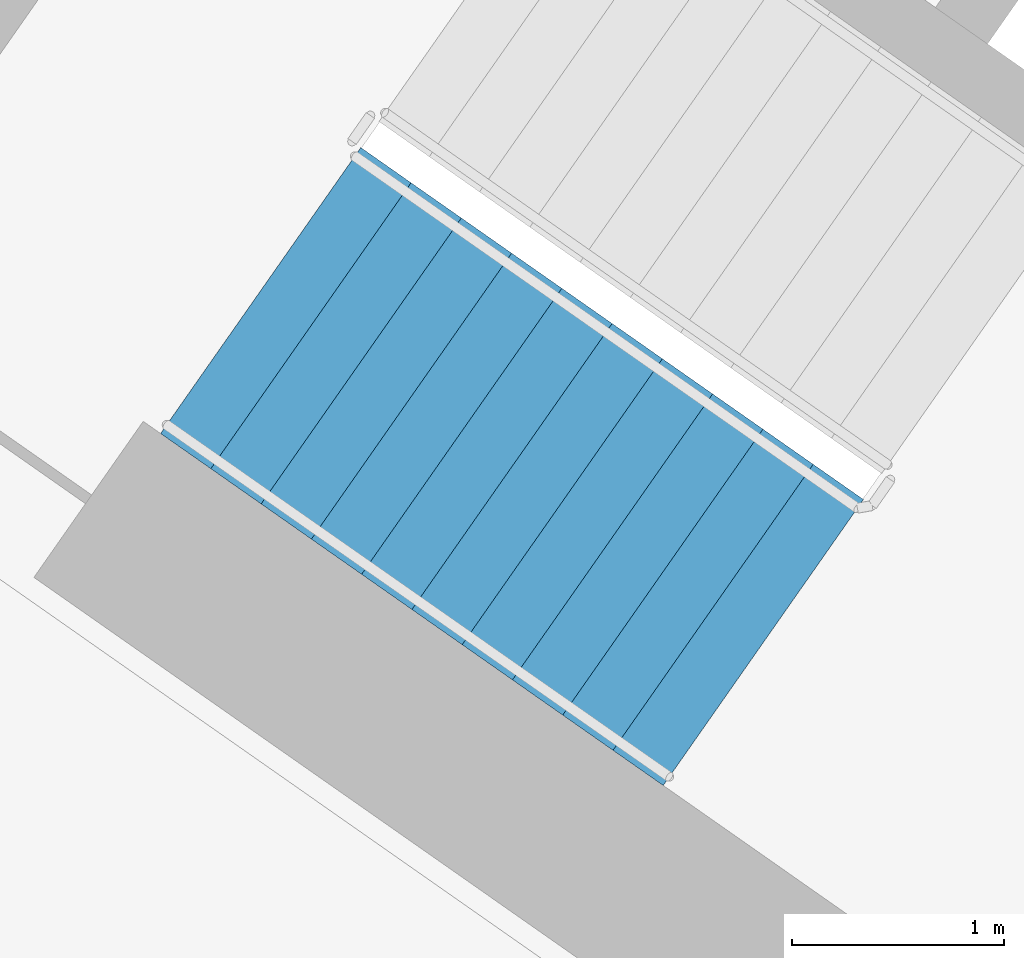
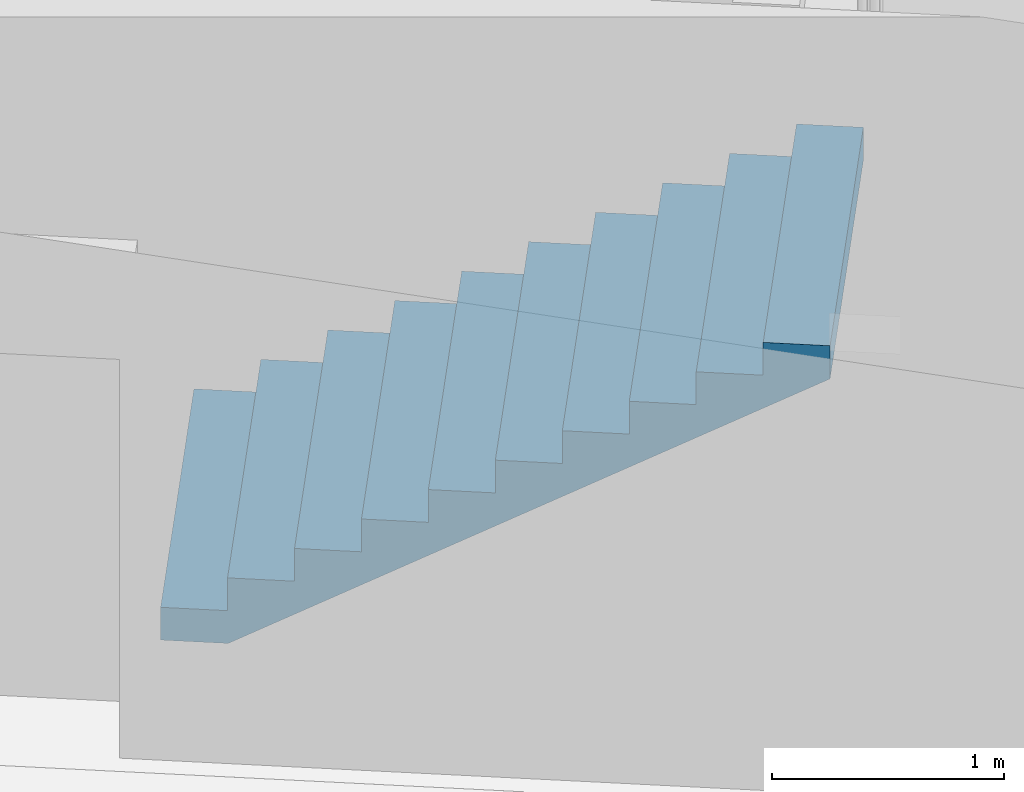
# One storey, part 12 of 30: 1 stair flight, 1 element without a shape of its own.
"""IFC4 building model written with IfcOpenShell, lengths in metres."""

from ifc_helpers import new_model, si_unit, direction, frame, origin, place, context, subcontext, project, spatial, faceted_brep, material, type_object, element, aggregate, save


model = new_model("IFC4")

# Units and contexts
model_context = context("Model", 3, precision=1e-05, world=origin(), true_north=direction((0.0, 1.0)))
body_context = subcontext(model_context, "Body", "Model", "MODEL_VIEW")
ifc_project = project(units=[si_unit("LENGTHUNIT", "METRE"), si_unit("AREAUNIT", "SQUARE_METRE"), si_unit("VOLUMEUNIT", "CUBIC_METRE"), si_unit("PLANEANGLEUNIT", "RADIAN"), si_unit("MASSUNIT", "GRAM", prefix="KILO")], contexts=[model_context])

# Site, building, storey
site_placement = place(None, origin())
site = spatial("IfcSite", under=ifc_project, at=site_placement, CompositionType="ELEMENT")
building_placement = place(site_placement, origin())
building = spatial("IfcBuilding", under=site, at=building_placement, Name="Qamariyya Broadcast Tower", CompositionType="ELEMENT")
storey_placement = place(building_placement, frame((0.0, 0.0, 67.10009765625)))
storey = spatial("IfcBuildingStorey", under=building, at=storey_placement, Name="L13", CompositionType="ELEMENT", Elevation=67.10009765625)

# Stair, stair flight
ifc_material = material(Name="Concrete C50/60", Category="concrete")
stair_type = type_object("IfcStairType", Name="Exit stair 22 risers of 173 mm", PredefinedType="HALF_TURN_STAIR", material=ifc_material)
stair_placement = place(storey_placement, origin())
stair = element("IfcStair", 1, at=stair_placement, inside=storey, type_object=stair_type, Name="L13 Stair W1", PredefinedType="HALF_TURN_STAIR")
stair_flight_type = type_object("IfcStairFlightType", Name="Exit stair flight 11 risers of 173 mm", PredefinedType="STRAIGHT", material=ifc_material)
stair_flight_placement = place(storey_placement, frame((-47.06884765625, -56.982666015625, 0.0), z_axis=(0.0, 0.0, 1.0), x_axis=(0.819152044289, -0.573576436351, 0.0)))
stair_flight = element("IfcStairFlight", 2, at=stair_flight_placement, type_object=stair_flight_type, Name="ST-W1 flight 1", NumberOfRisers=11, NumberOfTreads=10, PredefinedType="STRAIGHT", RiserHeight=0.172727273, TreadLength=0.29, context=body_context, shape_type="Brep", body=[
    faceted_brep([(0.0, 0.824951171875, 0.0), (0.0, 0.824951171875, 0.172607421875), (0.2900390625, 0.824951171875, 0.172607421875), (0.2900390625, 0.824951171875, 0.345458984375), (0.580078125, 0.824951171875, 0.345458984375), (0.580078125, 0.824951171875, 0.51806640625), (0.8701171875, 0.824951171875, 0.51806640625), (0.8701171875, 0.824951171875, 0.69091796875), (1.159912109375, 0.824951171875, 0.69091796875), (1.159912109375, 0.824951171875, 0.863525390625), (1.449951171875, 0.824951171875, 0.863525390625), (1.449951171875, 0.824951171875, 1.036376953125), (1.739990234375, 0.824951171875, 1.036376953125), (1.739990234375, 0.824951171875, 1.208984375), (2.030029296875, 0.824951171875, 1.208984375), (2.030029296875, 0.824951171875, 1.3818359375), (2.320068359375, 0.824951171875, 1.3818359375), (2.320068359375, 0.824951171875, 1.554443359375), (2.610107421875, 0.824951171875, 1.554443359375), (2.610107421875, 0.824951171875, 1.727294921875), (2.89990234375, 0.824951171875, 1.727294921875), (2.89990234375, 0.824951171875, 1.552734375), (0.29296875, 0.824951171875, 0.0), (0.29296875, -0.824951171875, 0.0), (2.89990234375, -0.824951171875, 1.552734375), (2.89990234375, -0.824951171875, 1.727294921875), (2.610107421875, -0.824951171875, 1.727294921875), (2.610107421875, -0.824951171875, 1.554443359375), (2.320068359375, -0.824951171875, 1.554443359375), (2.320068359375, -0.824951171875, 1.3818359375), (2.030029296875, -0.824951171875, 1.3818359375), (2.030029296875, -0.824951171875, 1.208984375), (1.739990234375, -0.824951171875, 1.208984375), (1.739990234375, -0.824951171875, 1.036376953125), (1.449951171875, -0.824951171875, 1.036376953125), (1.449951171875, -0.824951171875, 0.863525390625), (1.159912109375, -0.824951171875, 0.863525390625), (1.159912109375, -0.824951171875, 0.69091796875), (0.8701171875, -0.824951171875, 0.69091796875), (0.8701171875, -0.824951171875, 0.51806640625), (0.580078125, -0.824951171875, 0.51806640625), (0.580078125, -0.824951171875, 0.345458984375), (0.2900390625, -0.824951171875, 0.345458984375), (0.2900390625, -0.824951171875, 0.172607421875), (0.0, -0.824951171875, 0.172607421875), (0.0, -0.824951171875, 0.0), (0.0, 0.10009765625, 0.0), (0.0, 0.086669921875, 0.0), (0.0, 0.0732421875, 0.0), (0.0, 0.06005859375, 0.0), (0.0, 0.046630859375, 0.0), (0.0, 0.033447265625, 0.0), (0.0, 0.02001953125, 0.0), (0.0, 0.006591796875, 0.0), (0.0, -0.006591796875, 0.0), (0.0, -0.02001953125, 0.0), (0.0, -0.033447265625, 0.0), (0.0, -0.046630859375, 0.0), (0.0, -0.06005859375, 0.0), (0.0, -0.0732421875, 0.0), (0.0, -0.086669921875, 0.0), (0.0, -0.10009765625, 0.0), (0.0, -0.10009765625, 0.172607421875), (0.0, -0.086669921875, 0.172607421875), (0.0, -0.0732421875, 0.172607421875), (0.0, -0.06005859375, 0.172607421875), (0.0, -0.046630859375, 0.172607421875), (0.0, -0.033447265625, 0.172607421875), (0.0, -0.02001953125, 0.172607421875), (0.0, -0.006591796875, 0.172607421875), (0.0, 0.006591796875, 0.172607421875), (0.0, 0.02001953125, 0.172607421875), (0.0, 0.033447265625, 0.172607421875), (0.0, 0.046630859375, 0.172607421875), (0.0, 0.06005859375, 0.172607421875), (0.0, 0.0732421875, 0.172607421875), (0.0, 0.086669921875, 0.172607421875), (0.0, 0.10009765625, 0.172607421875), (0.2900390625, -0.10009765625, 0.172607421875), (0.2900390625, -0.086669921875, 0.172607421875), (0.2900390625, -0.0732421875, 0.172607421875), (0.2900390625, -0.06005859375, 0.172607421875), (0.2900390625, -0.046630859375, 0.172607421875), (0.2900390625, -0.033447265625, 0.172607421875), (0.2900390625, -0.02001953125, 0.172607421875), (0.2900390625, -0.006591796875, 0.172607421875), (0.2900390625, 0.006591796875, 0.172607421875), (0.2900390625, 0.02001953125, 0.172607421875), (0.2900390625, 0.033447265625, 0.172607421875), (0.2900390625, 0.046630859375, 0.172607421875), (0.2900390625, 0.06005859375, 0.172607421875), (0.2900390625, 0.0732421875, 0.172607421875), (0.2900390625, 0.086669921875, 0.172607421875), (0.2900390625, 0.10009765625, 0.172607421875), (0.2900390625, -0.10009765625, 0.345458984375), (0.2900390625, -0.086669921875, 0.345458984375), (0.2900390625, -0.0732421875, 0.345458984375), (0.2900390625, -0.06005859375, 0.345458984375), (0.2900390625, -0.046630859375, 0.345458984375), (0.2900390625, -0.033447265625, 0.345458984375), (0.2900390625, -0.02001953125, 0.345458984375), (0.2900390625, -0.006591796875, 0.345458984375), (0.2900390625, 0.006591796875, 0.345458984375), (0.2900390625, 0.02001953125, 0.345458984375), (0.2900390625, 0.033447265625, 0.345458984375), (0.2900390625, 0.046630859375, 0.345458984375), (0.2900390625, 0.06005859375, 0.345458984375), (0.2900390625, 0.0732421875, 0.345458984375), (0.2900390625, 0.086669921875, 0.345458984375), (0.2900390625, 0.10009765625, 0.345458984375), (0.580078125, -0.10009765625, 0.345458984375), (0.580078125, -0.086669921875, 0.345458984375), (0.580078125, -0.0732421875, 0.345458984375), (0.580078125, -0.06005859375, 0.345458984375), (0.580078125, -0.046630859375, 0.345458984375), (0.580078125, -0.033447265625, 0.345458984375), (0.580078125, -0.02001953125, 0.345458984375), (0.580078125, -0.006591796875, 0.345458984375), (0.580078125, 0.006591796875, 0.345458984375), (0.580078125, 0.02001953125, 0.345458984375), (0.580078125, 0.033447265625, 0.345458984375), (0.580078125, 0.046630859375, 0.345458984375), (0.580078125, 0.06005859375, 0.345458984375), (0.580078125, 0.0732421875, 0.345458984375), (0.580078125, 0.086669921875, 0.345458984375), (0.580078125, 0.10009765625, 0.345458984375), (0.580078125, -0.10009765625, 0.51806640625), (0.580078125, -0.086669921875, 0.51806640625), (0.580078125, -0.0732421875, 0.51806640625), (0.580078125, -0.06005859375, 0.51806640625), (0.580078125, -0.046630859375, 0.51806640625), (0.580078125, -0.033447265625, 0.51806640625), (0.580078125, -0.02001953125, 0.51806640625), (0.580078125, -0.006591796875, 0.51806640625), (0.580078125, 0.006591796875, 0.51806640625), (0.580078125, 0.02001953125, 0.51806640625), (0.580078125, 0.033447265625, 0.51806640625), (0.580078125, 0.046630859375, 0.51806640625), (0.580078125, 0.06005859375, 0.51806640625), (0.580078125, 0.0732421875, 0.51806640625), (0.580078125, 0.086669921875, 0.51806640625), (0.580078125, 0.10009765625, 0.51806640625), (0.8701171875, -0.10009765625, 0.51806640625), (0.8701171875, -0.086669921875, 0.51806640625), (0.8701171875, -0.0732421875, 0.51806640625), (0.8701171875, -0.06005859375, 0.51806640625), (0.8701171875, -0.046630859375, 0.51806640625), (0.8701171875, -0.033447265625, 0.51806640625), (0.8701171875, -0.02001953125, 0.51806640625), (0.8701171875, -0.006591796875, 0.51806640625), (0.8701171875, 0.006591796875, 0.51806640625), (0.8701171875, 0.02001953125, 0.51806640625), (0.8701171875, 0.033447265625, 0.51806640625), (0.8701171875, 0.046630859375, 0.51806640625), (0.8701171875, 0.06005859375, 0.51806640625), (0.8701171875, 0.0732421875, 0.51806640625), (0.8701171875, 0.086669921875, 0.51806640625), (0.8701171875, 0.10009765625, 0.51806640625), (0.8701171875, -0.10009765625, 0.69091796875), (0.8701171875, -0.086669921875, 0.69091796875), (0.8701171875, -0.0732421875, 0.69091796875), (0.8701171875, -0.06005859375, 0.69091796875), (0.8701171875, -0.046630859375, 0.69091796875), (0.8701171875, -0.033447265625, 0.69091796875), (0.8701171875, -0.02001953125, 0.69091796875), (0.8701171875, -0.006591796875, 0.69091796875), (0.8701171875, 0.006591796875, 0.69091796875), (0.8701171875, 0.02001953125, 0.69091796875), (0.8701171875, 0.033447265625, 0.69091796875), (0.8701171875, 0.046630859375, 0.69091796875), (0.8701171875, 0.06005859375, 0.69091796875), (0.8701171875, 0.0732421875, 0.69091796875), (0.8701171875, 0.086669921875, 0.69091796875), (0.8701171875, 0.10009765625, 0.69091796875), (1.159912109375, -0.10009765625, 0.69091796875), (1.159912109375, -0.086669921875, 0.69091796875), (1.159912109375, -0.0732421875, 0.69091796875), (1.159912109375, -0.06005859375, 0.69091796875), (1.159912109375, -0.046630859375, 0.69091796875), (1.159912109375, -0.033447265625, 0.69091796875), (1.159912109375, -0.02001953125, 0.69091796875), (1.159912109375, -0.006591796875, 0.69091796875), (1.159912109375, 0.006591796875, 0.69091796875), (1.159912109375, 0.02001953125, 0.69091796875), (1.159912109375, 0.033447265625, 0.69091796875), (1.159912109375, 0.046630859375, 0.69091796875), (1.159912109375, 0.06005859375, 0.69091796875), (1.159912109375, 0.0732421875, 0.69091796875), (1.159912109375, 0.086669921875, 0.69091796875), (1.159912109375, 0.10009765625, 0.69091796875), (1.159912109375, -0.10009765625, 0.863525390625), (1.159912109375, -0.086669921875, 0.863525390625), (1.159912109375, -0.0732421875, 0.863525390625), (1.159912109375, -0.06005859375, 0.863525390625), (1.159912109375, -0.046630859375, 0.863525390625), (1.159912109375, -0.033447265625, 0.863525390625), (1.159912109375, -0.02001953125, 0.863525390625), (1.159912109375, -0.006591796875, 0.863525390625), (1.159912109375, 0.006591796875, 0.863525390625), (1.159912109375, 0.02001953125, 0.863525390625), (1.159912109375, 0.033447265625, 0.863525390625), (1.159912109375, 0.046630859375, 0.863525390625), (1.159912109375, 0.06005859375, 0.863525390625), (1.159912109375, 0.0732421875, 0.863525390625), (1.159912109375, 0.086669921875, 0.863525390625), (1.159912109375, 0.10009765625, 0.863525390625), (1.449951171875, -0.10009765625, 0.863525390625), (1.449951171875, -0.086669921875, 0.863525390625), (1.449951171875, -0.0732421875, 0.863525390625), (1.449951171875, -0.06005859375, 0.863525390625), (1.449951171875, -0.046630859375, 0.863525390625), (1.449951171875, -0.033447265625, 0.863525390625), (1.449951171875, -0.02001953125, 0.863525390625), (1.449951171875, -0.006591796875, 0.863525390625), (1.449951171875, 0.006591796875, 0.863525390625), (1.449951171875, 0.02001953125, 0.863525390625), (1.449951171875, 0.033447265625, 0.863525390625), (1.449951171875, 0.046630859375, 0.863525390625), (1.449951171875, 0.06005859375, 0.863525390625), (1.449951171875, 0.0732421875, 0.863525390625), (1.449951171875, 0.086669921875, 0.863525390625), (1.449951171875, 0.10009765625, 0.863525390625), (1.449951171875, -0.10009765625, 1.036376953125), (1.449951171875, -0.086669921875, 1.036376953125), (1.449951171875, -0.0732421875, 1.036376953125), (1.449951171875, -0.06005859375, 1.036376953125), (1.449951171875, -0.046630859375, 1.036376953125), (1.449951171875, -0.033447265625, 1.036376953125), (1.449951171875, -0.02001953125, 1.036376953125), (1.449951171875, -0.006591796875, 1.036376953125), (1.449951171875, 0.006591796875, 1.036376953125), (1.449951171875, 0.02001953125, 1.036376953125), (1.449951171875, 0.033447265625, 1.036376953125), (1.449951171875, 0.046630859375, 1.036376953125), (1.449951171875, 0.06005859375, 1.036376953125), (1.449951171875, 0.0732421875, 1.036376953125), (1.449951171875, 0.086669921875, 1.036376953125), (1.449951171875, 0.10009765625, 1.036376953125), (1.739990234375, -0.10009765625, 1.036376953125), (1.739990234375, -0.086669921875, 1.036376953125), (1.739990234375, -0.0732421875, 1.036376953125), (1.739990234375, -0.06005859375, 1.036376953125), (1.739990234375, -0.046630859375, 1.036376953125), (1.739990234375, -0.033447265625, 1.036376953125), (1.739990234375, -0.02001953125, 1.036376953125), (1.739990234375, -0.006591796875, 1.036376953125), (1.739990234375, 0.006591796875, 1.036376953125), (1.739990234375, 0.02001953125, 1.036376953125), (1.739990234375, 0.033447265625, 1.036376953125), (1.739990234375, 0.046630859375, 1.036376953125), (1.739990234375, 0.06005859375, 1.036376953125), (1.739990234375, 0.0732421875, 1.036376953125), (1.739990234375, 0.086669921875, 1.036376953125), (1.739990234375, 0.10009765625, 1.036376953125), (1.739990234375, -0.10009765625, 1.208984375), (1.739990234375, -0.086669921875, 1.208984375), (1.739990234375, -0.0732421875, 1.208984375), (1.739990234375, -0.06005859375, 1.208984375), (1.739990234375, -0.046630859375, 1.208984375), (1.739990234375, -0.033447265625, 1.208984375), (1.739990234375, -0.02001953125, 1.208984375), (1.739990234375, -0.006591796875, 1.208984375), (1.739990234375, 0.006591796875, 1.208984375), (1.739990234375, 0.02001953125, 1.208984375), (1.739990234375, 0.033447265625, 1.208984375), (1.739990234375, 0.046630859375, 1.208984375), (1.739990234375, 0.06005859375, 1.208984375), (1.739990234375, 0.0732421875, 1.208984375), (1.739990234375, 0.086669921875, 1.208984375), (1.739990234375, 0.10009765625, 1.208984375), (2.030029296875, -0.10009765625, 1.208984375), (2.030029296875, -0.086669921875, 1.208984375), (2.030029296875, -0.0732421875, 1.208984375), (2.030029296875, -0.06005859375, 1.208984375), (2.030029296875, -0.046630859375, 1.208984375), (2.030029296875, -0.033447265625, 1.208984375), (2.030029296875, -0.02001953125, 1.208984375), (2.030029296875, -0.006591796875, 1.208984375), (2.030029296875, 0.006591796875, 1.208984375), (2.030029296875, 0.02001953125, 1.208984375), (2.030029296875, 0.033447265625, 1.208984375), (2.030029296875, 0.046630859375, 1.208984375), (2.030029296875, 0.06005859375, 1.208984375), (2.030029296875, 0.0732421875, 1.208984375), (2.030029296875, 0.086669921875, 1.208984375), (2.030029296875, 0.10009765625, 1.208984375), (2.030029296875, -0.10009765625, 1.3818359375), (2.030029296875, -0.086669921875, 1.3818359375), (2.030029296875, -0.0732421875, 1.3818359375), (2.030029296875, -0.06005859375, 1.3818359375), (2.030029296875, -0.046630859375, 1.3818359375), (2.030029296875, -0.033447265625, 1.3818359375), (2.030029296875, -0.02001953125, 1.3818359375), (2.030029296875, -0.006591796875, 1.3818359375), (2.030029296875, 0.006591796875, 1.3818359375), (2.030029296875, 0.02001953125, 1.3818359375), (2.030029296875, 0.033447265625, 1.3818359375), (2.030029296875, 0.046630859375, 1.3818359375), (2.030029296875, 0.06005859375, 1.3818359375), (2.030029296875, 0.0732421875, 1.3818359375), (2.030029296875, 0.086669921875, 1.3818359375), (2.030029296875, 0.10009765625, 1.3818359375), (2.320068359375, -0.10009765625, 1.3818359375), (2.320068359375, -0.086669921875, 1.3818359375), (2.320068359375, -0.0732421875, 1.3818359375), (2.320068359375, -0.06005859375, 1.3818359375), (2.320068359375, -0.046630859375, 1.3818359375), (2.320068359375, -0.033447265625, 1.3818359375), (2.320068359375, -0.02001953125, 1.3818359375), (2.320068359375, -0.006591796875, 1.3818359375), (2.320068359375, 0.006591796875, 1.3818359375), (2.320068359375, 0.02001953125, 1.3818359375), (2.320068359375, 0.033447265625, 1.3818359375), (2.320068359375, 0.046630859375, 1.3818359375), (2.320068359375, 0.06005859375, 1.3818359375), (2.320068359375, 0.0732421875, 1.3818359375), (2.320068359375, 0.086669921875, 1.3818359375), (2.320068359375, 0.10009765625, 1.3818359375), (2.320068359375, -0.10009765625, 1.554443359375), (2.320068359375, -0.086669921875, 1.554443359375), (2.320068359375, -0.0732421875, 1.554443359375), (2.320068359375, -0.06005859375, 1.554443359375), (2.320068359375, -0.046630859375, 1.554443359375), (2.320068359375, -0.033447265625, 1.554443359375), (2.320068359375, -0.02001953125, 1.554443359375), (2.320068359375, -0.006591796875, 1.554443359375), (2.320068359375, 0.006591796875, 1.554443359375), (2.320068359375, 0.02001953125, 1.554443359375), (2.320068359375, 0.033447265625, 1.554443359375), (2.320068359375, 0.046630859375, 1.554443359375), (2.320068359375, 0.06005859375, 1.554443359375), (2.320068359375, 0.0732421875, 1.554443359375), (2.320068359375, 0.086669921875, 1.554443359375), (2.320068359375, 0.10009765625, 1.554443359375), (2.610107421875, -0.10009765625, 1.554443359375), (2.610107421875, -0.086669921875, 1.554443359375), (2.610107421875, -0.0732421875, 1.554443359375), (2.610107421875, -0.06005859375, 1.554443359375), (2.610107421875, -0.046630859375, 1.554443359375), (2.610107421875, -0.033447265625, 1.554443359375), (2.610107421875, -0.02001953125, 1.554443359375), (2.610107421875, -0.006591796875, 1.554443359375), (2.610107421875, 0.006591796875, 1.554443359375), (2.610107421875, 0.02001953125, 1.554443359375), (2.610107421875, 0.033447265625, 1.554443359375), (2.610107421875, 0.046630859375, 1.554443359375), (2.610107421875, 0.06005859375, 1.554443359375), (2.610107421875, 0.0732421875, 1.554443359375), (2.610107421875, 0.086669921875, 1.554443359375), (2.610107421875, 0.10009765625, 1.554443359375), (2.610107421875, -0.10009765625, 1.727294921875), (2.610107421875, -0.086669921875, 1.727294921875), (2.610107421875, -0.0732421875, 1.727294921875), (2.610107421875, -0.06005859375, 1.727294921875), (2.610107421875, -0.046630859375, 1.727294921875), (2.610107421875, -0.033447265625, 1.727294921875), (2.610107421875, -0.02001953125, 1.727294921875), (2.610107421875, -0.006591796875, 1.727294921875), (2.610107421875, 0.006591796875, 1.727294921875), (2.610107421875, 0.02001953125, 1.727294921875), (2.610107421875, 0.033447265625, 1.727294921875), (2.610107421875, 0.046630859375, 1.727294921875), (2.610107421875, 0.06005859375, 1.727294921875), (2.610107421875, 0.0732421875, 1.727294921875), (2.610107421875, 0.086669921875, 1.727294921875), (2.610107421875, 0.10009765625, 1.727294921875), (2.89990234375, -0.10009765625, 1.727294921875), (2.89990234375, -0.086669921875, 1.727294921875), (2.89990234375, -0.0732421875, 1.727294921875), (2.89990234375, -0.06005859375, 1.727294921875), (2.89990234375, -0.046630859375, 1.727294921875), (2.89990234375, -0.033447265625, 1.727294921875), (2.89990234375, -0.02001953125, 1.727294921875), (2.89990234375, -0.006591796875, 1.727294921875), (2.89990234375, 0.006591796875, 1.727294921875), (2.89990234375, 0.02001953125, 1.727294921875), (2.89990234375, 0.033447265625, 1.727294921875), (2.89990234375, 0.046630859375, 1.727294921875), (2.89990234375, 0.06005859375, 1.727294921875), (2.89990234375, 0.0732421875, 1.727294921875), (2.89990234375, 0.086669921875, 1.727294921875), (2.89990234375, 0.10009765625, 1.727294921875), (2.89990234375, -0.10009765625, 1.552734375), (2.89990234375, -0.086669921875, 1.552734375), (2.89990234375, -0.0732421875, 1.552734375), (2.89990234375, -0.06005859375, 1.552734375), (2.89990234375, -0.046630859375, 1.552734375), (2.89990234375, -0.033447265625, 1.552734375), (2.89990234375, -0.02001953125, 1.552734375), (2.89990234375, -0.006591796875, 1.552734375), (2.89990234375, 0.006591796875, 1.552734375), (2.89990234375, 0.02001953125, 1.552734375), (2.89990234375, 0.033447265625, 1.552734375), (2.89990234375, 0.046630859375, 1.552734375), (2.89990234375, 0.06005859375, 1.552734375), (2.89990234375, 0.0732421875, 1.552734375), (2.89990234375, 0.086669921875, 1.552734375), (2.89990234375, 0.10009765625, 1.552734375), (0.29296875, -0.10009765625, 0.0), (0.29296875, -0.086669921875, 0.0), (0.29296875, -0.0732421875, 0.0), (0.29296875, -0.06005859375, 0.0), (0.29296875, -0.046630859375, 0.0), (0.29296875, -0.033447265625, 0.0), (0.29296875, -0.02001953125, 0.0), (0.29296875, -0.006591796875, 0.0), (0.29296875, 0.006591796875, 0.0), (0.29296875, 0.02001953125, 0.0), (0.29296875, 0.033447265625, 0.0), (0.29296875, 0.046630859375, 0.0), (0.29296875, 0.06005859375, 0.0), (0.29296875, 0.0732421875, 0.0), (0.29296875, 0.086669921875, 0.0), (0.29296875, 0.10009765625, 0.0)], [[[0, 1, 2, 3, 4, 5, 6, 7, 8, 9, 10, 11, 12, 13, 14, 15, 16, 17, 18, 19, 20, 21, 22]], [[23, 24, 25, 26, 27, 28, 29, 30, 31, 32, 33, 34, 35, 36, 37, 38, 39, 40, 41, 42, 43, 44, 45]], [[0, 46, 47, 48, 49, 50, 51, 52, 53, 54, 55, 56, 57, 58, 59, 60, 61, 45, 44, 62, 63, 64, 65, 66, 67, 68, 69, 70, 71, 72, 73, 74, 75, 76, 77, 1]], [[1, 77, 76, 75, 74, 73, 72, 71, 70, 69, 68, 67, 66, 65, 64, 63, 62, 44, 43, 78, 79, 80, 81, 82, 83, 84, 85, 86, 87, 88, 89, 90, 91, 92, 93, 2]], [[2, 93, 92, 91, 90, 89, 88, 87, 86, 85, 84, 83, 82, 81, 80, 79, 78, 43, 42, 94, 95, 96, 97, 98, 99, 100, 101, 102, 103, 104, 105, 106, 107, 108, 109, 3]], [[3, 109, 108, 107, 106, 105, 104, 103, 102, 101, 100, 99, 98, 97, 96, 95, 94, 42, 41, 110, 111, 112, 113, 114, 115, 116, 117, 118, 119, 120, 121, 122, 123, 124, 125, 4]], [[4, 125, 124, 123, 122, 121, 120, 119, 118, 117, 116, 115, 114, 113, 112, 111, 110, 41, 40, 126, 127, 128, 129, 130, 131, 132, 133, 134, 135, 136, 137, 138, 139, 140, 141, 5]], [[5, 141, 140, 139, 138, 137, 136, 135, 134, 133, 132, 131, 130, 129, 128, 127, 126, 40, 39, 142, 143, 144, 145, 146, 147, 148, 149, 150, 151, 152, 153, 154, 155, 156, 157, 6]], [[6, 157, 156, 155, 154, 153, 152, 151, 150, 149, 148, 147, 146, 145, 144, 143, 142, 39, 38, 158, 159, 160, 161, 162, 163, 164, 165, 166, 167, 168, 169, 170, 171, 172, 173, 7]], [[7, 173, 172, 171, 170, 169, 168, 167, 166, 165, 164, 163, 162, 161, 160, 159, 158, 38, 37, 174, 175, 176, 177, 178, 179, 180, 181, 182, 183, 184, 185, 186, 187, 188, 189, 8]], [[8, 189, 188, 187, 186, 185, 184, 183, 182, 181, 180, 179, 178, 177, 176, 175, 174, 37, 36, 190, 191, 192, 193, 194, 195, 196, 197, 198, 199, 200, 201, 202, 203, 204, 205, 9]], [[9, 205, 204, 203, 202, 201, 200, 199, 198, 197, 196, 195, 194, 193, 192, 191, 190, 36, 35, 206, 207, 208, 209, 210, 211, 212, 213, 214, 215, 216, 217, 218, 219, 220, 221, 10]], [[10, 221, 220, 219, 218, 217, 216, 215, 214, 213, 212, 211, 210, 209, 208, 207, 206, 35, 34, 222, 223, 224, 225, 226, 227, 228, 229, 230, 231, 232, 233, 234, 235, 236, 237, 11]], [[11, 237, 236, 235, 234, 233, 232, 231, 230, 229, 228, 227, 226, 225, 224, 223, 222, 34, 33, 238, 239, 240, 241, 242, 243, 244, 245, 246, 247, 248, 249, 250, 251, 252, 253, 12]], [[12, 253, 252, 251, 250, 249, 248, 247, 246, 245, 244, 243, 242, 241, 240, 239, 238, 33, 32, 254, 255, 256, 257, 258, 259, 260, 261, 262, 263, 264, 265, 266, 267, 268, 269, 13]], [[13, 269, 268, 267, 266, 265, 264, 263, 262, 261, 260, 259, 258, 257, 256, 255, 254, 32, 31, 270, 271, 272, 273, 274, 275, 276, 277, 278, 279, 280, 281, 282, 283, 284, 285, 14]], [[14, 285, 284, 283, 282, 281, 280, 279, 278, 277, 276, 275, 274, 273, 272, 271, 270, 31, 30, 286, 287, 288, 289, 290, 291, 292, 293, 294, 295, 296, 297, 298, 299, 300, 301, 15]], [[15, 301, 300, 299, 298, 297, 296, 295, 294, 293, 292, 291, 290, 289, 288, 287, 286, 30, 29, 302, 303, 304, 305, 306, 307, 308, 309, 310, 311, 312, 313, 314, 315, 316, 317, 16]], [[16, 317, 316, 315, 314, 313, 312, 311, 310, 309, 308, 307, 306, 305, 304, 303, 302, 29, 28, 318, 319, 320, 321, 322, 323, 324, 325, 326, 327, 328, 329, 330, 331, 332, 333, 17]], [[17, 333, 332, 331, 330, 329, 328, 327, 326, 325, 324, 323, 322, 321, 320, 319, 318, 28, 27, 334, 335, 336, 337, 338, 339, 340, 341, 342, 343, 344, 345, 346, 347, 348, 349, 18]], [[18, 349, 348, 347, 346, 345, 344, 343, 342, 341, 340, 339, 338, 337, 336, 335, 334, 27, 26, 350, 351, 352, 353, 354, 355, 356, 357, 358, 359, 360, 361, 362, 363, 364, 365, 19]], [[19, 365, 364, 363, 362, 361, 360, 359, 358, 357, 356, 355, 354, 353, 352, 351, 350, 26, 25, 366, 367, 368, 369, 370, 371, 372, 373, 374, 375, 376, 377, 378, 379, 380, 381, 20]], [[20, 381, 380, 379, 378, 377, 376, 375, 374, 373, 372, 371, 370, 369, 368, 367, 366, 25, 24, 382, 383, 384, 385, 386, 387, 388, 389, 390, 391, 392, 393, 394, 395, 396, 397, 21]], [[21, 397, 396, 395, 394, 393, 392, 391, 390, 389, 388, 387, 386, 385, 384, 383, 382, 24, 23, 398, 399, 400, 401, 402, 403, 404, 405, 406, 407, 408, 409, 410, 411, 412, 413, 22]], [[22, 413, 412, 411, 410, 409, 408, 407, 406, 405, 404, 403, 402, 401, 400, 399, 398, 23, 45, 61, 60, 59, 58, 57, 56, 55, 54, 53, 52, 51, 50, 49, 48, 47, 46, 0]]]),
])
aggregate(stair, [stair_flight])

save(model, "model.ifc")
